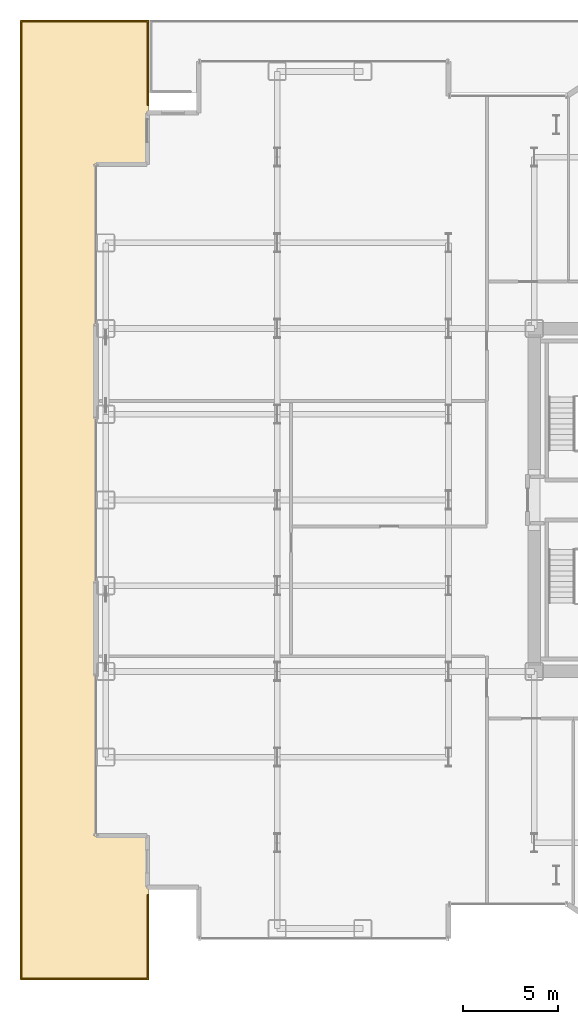
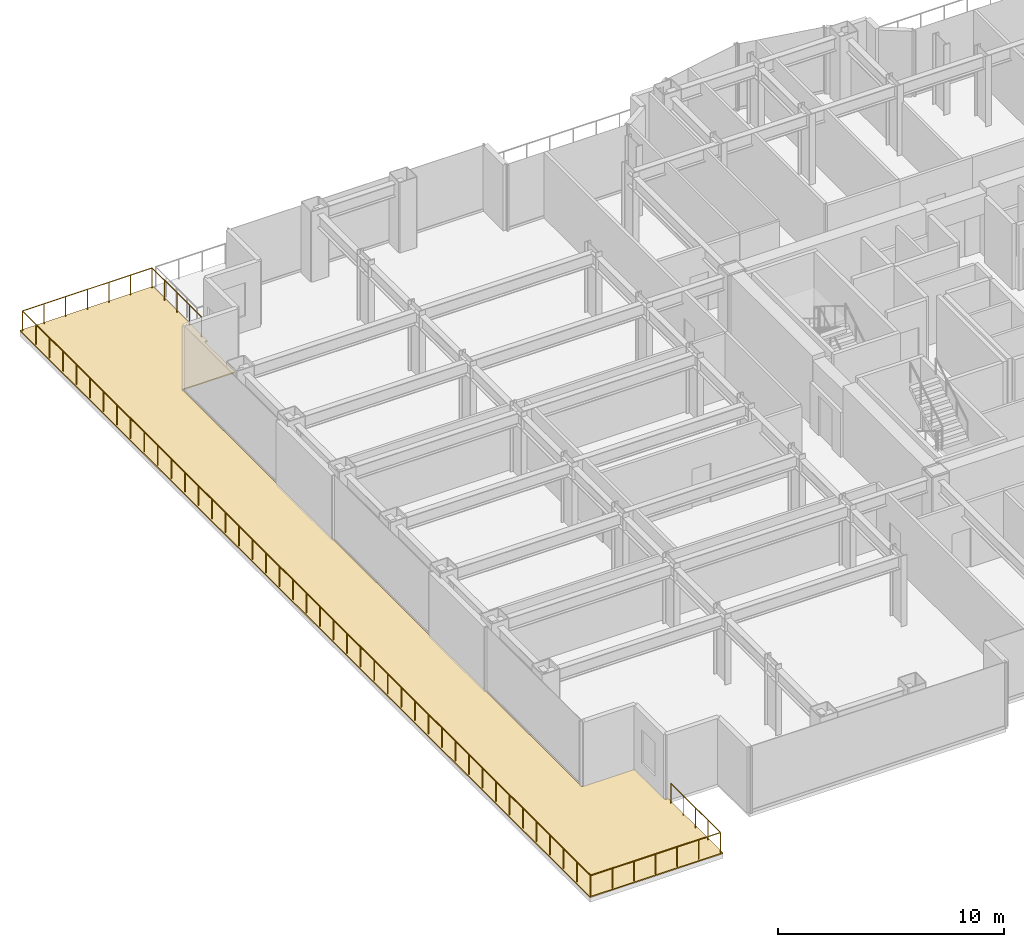
# One storey, part 28 of 30: 2 railings, 1 covering.
"""IFC4 building model written with IfcOpenShell, lengths in metres."""

from ifc_helpers import new_model, si_unit, direction, frame, origin, origin_2d, place, context, subcontext, project, spatial, polyline, circle, outline, extrude, material, layer, layer_set, type_object, element, save


model = new_model("IFC4")

# Units and contexts
model_context = context("Model", 3, precision=1e-05, world=origin(), true_north=direction((0.0, 1.0)))
body_context = subcontext(model_context, "Body", "Model", "MODEL_VIEW")
ifc_project = project(units=[si_unit("LENGTHUNIT", "METRE"), si_unit("AREAUNIT", "SQUARE_METRE"), si_unit("VOLUMEUNIT", "CUBIC_METRE"), si_unit("PLANEANGLEUNIT", "RADIAN"), si_unit("MASSUNIT", "GRAM", prefix="KILO")], contexts=[model_context])

# Site, building, storey
site_placement = place(None, origin())
site = spatial("IfcSite", under=ifc_project, at=site_placement, CompositionType="ELEMENT")
building_placement = place(site_placement, origin())
building = spatial("IfcBuilding", under=site, at=building_placement, Name="Nefas-Gora Pilgrimage Tower", CompositionType="ELEMENT")
storey_placement = place(building_placement, frame((0.0, 0.0, 33.0)))
storey = spatial("IfcBuildingStorey", under=building, at=storey_placement, Name="L06", CompositionType="ELEMENT", Elevation=33.0)

# Covering
ifc_material_1 = material(Name="Elastomeric waterproof insulated roof membrane")
ifc_layer = layer(ifc_material_1, 0.06005859375)
ifc_layer_set = layer_set([ifc_layer], Name="Elastomeric waterproof insulated roof membrane")
covering_type = type_object("IfcCoveringType", Name="COV-ROOF-MEMB", PredefinedType="ROOFING", material=ifc_layer_set)
covering_placement = place(storey_placement, origin())
element("IfcCovering", 1, at=covering_placement, inside=storey, type_object=covering_type, Name="L06 Setback Terrace Waterproofing Membrane 1", PredefinedType="ROOFING", context=body_context, shape_type="SweptSolid", body=[
    extrude(outline(polyline([(-38.25, -25.199951171875), (-31.469970703125, -25.199951171875), (-31.469970703125, -20.3701171875), (-31.570068359375, -20.3701171875), (-31.574951171875, -20.369873046875), (-31.579833984375, -20.368896484375), (-31.58447265625, -20.367919921875), (-31.589111328125, -20.3662109375), (-31.593505859375, -20.364013671875), (-31.597900390625, -20.361572265625), (-31.601806640625, -20.358642578125), (-31.60546875, -20.35546875), (-31.608642578125, -20.351806640625), (-31.611572265625, -20.347900390625), (-31.614013671875, -20.343505859375), (-31.6162109375, -20.339111328125), (-31.617919921875, -20.33447265625), (-31.618896484375, -20.329833984375), (-31.619873046875, -20.324951171875), (-31.6201171875, -20.320068359375), (-31.6201171875, -17.669921875), (-34.27001953125, -17.669921875), (-34.27490234375, -17.669921875), (-34.27978515625, -17.6689453125), (-34.284423828125, -17.667724609375), (-34.2890625, -17.666259765625), (-34.293701171875, -17.6640625), (-34.2978515625, -17.66162109375), (-34.3017578125, -17.65869140625), (-34.305419921875, -17.655517578125), (-34.30859375, -17.651611328125), (-34.3115234375, -17.647705078125), (-34.314208984375, -17.6435546875), (-34.316162109375, -17.63916015625), (-34.31787109375, -17.634521484375), (-34.319091796875, -17.6298828125), (-34.31982421875, -17.625), (-34.320068359375, -17.6201171875), (-34.320068359375, 17.6201171875), (-34.31982421875, 17.625), (-34.319091796875, 17.6298828125), (-34.31787109375, 17.634521484375), (-34.316162109375, 17.63916015625), (-34.314208984375, 17.6435546875), (-34.3115234375, 17.647705078125), (-34.30859375, 17.651611328125), (-34.305419921875, 17.655517578125), (-34.3017578125, 17.65869140625), (-34.2978515625, 17.66162109375), (-34.293701171875, 17.6640625), (-34.2890625, 17.666259765625), (-34.284423828125, 17.667724609375), (-34.27978515625, 17.6689453125), (-34.27490234375, 17.669921875), (-34.27001953125, 17.669921875), (-31.6201171875, 17.669921875), (-31.6201171875, 20.320068359375), (-31.619873046875, 20.324951171875), (-31.618896484375, 20.329833984375), (-31.617919921875, 20.33447265625), (-31.6162109375, 20.339111328125), (-31.614013671875, 20.343505859375), (-31.611572265625, 20.347900390625), (-31.608642578125, 20.351806640625), (-31.60546875, 20.35546875), (-31.601806640625, 20.358642578125), (-31.597900390625, 20.361572265625), (-31.593505859375, 20.364013671875), (-31.589111328125, 20.3662109375), (-31.58447265625, 20.367919921875), (-31.579833984375, 20.368896484375), (-31.574951171875, 20.369873046875), (-31.570068359375, 20.3701171875), (-31.469970703125, 20.3701171875), (-31.469970703125, 25.199951171875), (-38.25, 25.199951171875), (-38.25, -25.199951171875)])), origin(), (0.0, 0.0, 1.0), 0.06005859375),
])

# Railings
ifc_material_2 = material(Name="Laminated safety glass and stainless steel", Category="steel")
railing_type = type_object("IfcRailingType", Name="RLG-TER-1150", PredefinedType="BALUSTRADE", material=ifc_material_2)
railing_1_placement = place(storey_placement, frame((-38.169921875, -25.1201171875, 0.0)))
element("IfcRailing", 2, at=railing_1_placement, inside=storey, type_object=railing_type, Name="L06 Terrace Continuous Balustrade TER-L06-1.1", PredefinedType="BALUSTRADE", context=body_context, shape_type="SweptSolid", body=[
    extrude(circle(Radius=0.02392578125, at=origin_2d()), frame((0.0, 0.0, 1.1259765625), z_axis=(0.0, 1.0, 0.0), x_axis=(-1.0, 0.0, 0.0)), (0.0, 0.0, 1.0), 50.240234375),
    extrude(circle(Radius=0.02392578125, at=origin_2d()), frame((0.0, 50.240234375, 1.1259765625), z_axis=(1.0, 0.0, 0.0), x_axis=(0.0, 1.0, 0.0)), (0.0, 0.0, 1.0), 6.619873046875),
    extrude(circle(Radius=0.02392578125, at=origin_2d()), frame((6.619873046875, 50.240234375, 1.1259765625), z_axis=(0.0, -1.0, 0.0), x_axis=(1.0, 0.0, 0.0)), (0.0, 0.0, 1.0), 4.380126953125),
    extrude(circle(Radius=0.02099609375, at=origin_2d()), origin(), (0.0, 0.0, 1.0), 1.101806640625),
    extrude(circle(Radius=0.02099609375, at=origin_2d()), frame((0.0, 1.1962890625, 0.0)), (0.0, 0.0, 1.0), 1.101806640625),
    extrude(circle(Radius=0.02099609375, at=origin_2d()), frame((0.0, 2.392333984375, 0.0)), (0.0, 0.0, 1.0), 1.101806640625),
    extrude(circle(Radius=0.02099609375, at=origin_2d()), frame((0.0, 3.588623046875, 0.0)), (0.0, 0.0, 1.0), 1.101806640625),
    extrude(circle(Radius=0.02099609375, at=origin_2d()), frame((0.0, 4.78466796875, 0.0)), (0.0, 0.0, 1.0), 1.101806640625),
    extrude(circle(Radius=0.02099609375, at=origin_2d()), frame((0.0, 5.98095703125, 0.0)), (0.0, 0.0, 1.0), 1.101806640625),
    extrude(circle(Radius=0.02099609375, at=origin_2d()), frame((0.0, 7.17724609375, 0.0)), (0.0, 0.0, 1.0), 1.101806640625),
    extrude(circle(Radius=0.02099609375, at=origin_2d()), frame((0.0, 8.373291015625, 0.0)), (0.0, 0.0, 1.0), 1.101806640625),
    extrude(circle(Radius=0.02099609375, at=origin_2d()), frame((0.0, 9.569580078125, 0.0)), (0.0, 0.0, 1.0), 1.101806640625),
    extrude(circle(Radius=0.02099609375, at=origin_2d()), frame((0.0, 10.765869140625, 0.0)), (0.0, 0.0, 1.0), 1.101806640625),
    extrude(circle(Radius=0.02099609375, at=origin_2d()), frame((0.0, 11.9619140625, 0.0)), (0.0, 0.0, 1.0), 1.101806640625),
    extrude(circle(Radius=0.02099609375, at=origin_2d()), frame((0.0, 13.158203125, 0.0)), (0.0, 0.0, 1.0), 1.101806640625),
    extrude(circle(Radius=0.02099609375, at=origin_2d()), frame((0.0, 14.354248046875, 0.0)), (0.0, 0.0, 1.0), 1.101806640625),
    extrude(circle(Radius=0.02099609375, at=origin_2d()), frame((0.0, 15.550537109375, 0.0)), (0.0, 0.0, 1.0), 1.101806640625),
    extrude(circle(Radius=0.02099609375, at=origin_2d()), frame((0.0, 16.746826171875, 0.0)), (0.0, 0.0, 1.0), 1.101806640625),
    extrude(circle(Radius=0.02099609375, at=origin_2d()), frame((0.0, 17.94287109375, 0.0)), (0.0, 0.0, 1.0), 1.101806640625),
    extrude(circle(Radius=0.02099609375, at=origin_2d()), frame((0.0, 19.13916015625, 0.0)), (0.0, 0.0, 1.0), 1.101806640625),
    extrude(circle(Radius=0.02099609375, at=origin_2d()), frame((0.0, 20.33544921875, 0.0)), (0.0, 0.0, 1.0), 1.101806640625),
    extrude(circle(Radius=0.02099609375, at=origin_2d()), frame((0.0, 21.531494140625, 0.0)), (0.0, 0.0, 1.0), 1.101806640625),
    extrude(circle(Radius=0.02099609375, at=origin_2d()), frame((0.0, 22.727783203125, 0.0)), (0.0, 0.0, 1.0), 1.101806640625),
    extrude(circle(Radius=0.02099609375, at=origin_2d()), frame((0.0, 23.923828125, 0.0)), (0.0, 0.0, 1.0), 1.101806640625),
    extrude(circle(Radius=0.02099609375, at=origin_2d()), frame((0.0, 25.1201171875, 0.0)), (0.0, 0.0, 1.0), 1.101806640625),
    extrude(circle(Radius=0.02099609375, at=origin_2d()), frame((0.0, 26.31640625, 0.0)), (0.0, 0.0, 1.0), 1.101806640625),
    extrude(circle(Radius=0.02099609375, at=origin_2d()), frame((0.0, 27.512451171875, 0.0)), (0.0, 0.0, 1.0), 1.101806640625),
    extrude(circle(Radius=0.02099609375, at=origin_2d()), frame((0.0, 28.708740234375, 0.0)), (0.0, 0.0, 1.0), 1.101806640625),
    extrude(circle(Radius=0.02099609375, at=origin_2d()), frame((0.0, 29.90478515625, 0.0)), (0.0, 0.0, 1.0), 1.101806640625),
    extrude(circle(Radius=0.02099609375, at=origin_2d()), frame((0.0, 31.10107421875, 0.0)), (0.0, 0.0, 1.0), 1.101806640625),
    extrude(circle(Radius=0.02099609375, at=origin_2d()), frame((0.0, 32.29736328125, 0.0)), (0.0, 0.0, 1.0), 1.101806640625),
    extrude(circle(Radius=0.02099609375, at=origin_2d()), frame((0.0, 33.493408203125, 0.0)), (0.0, 0.0, 1.0), 1.101806640625),
    extrude(circle(Radius=0.02099609375, at=origin_2d()), frame((0.0, 34.689697265625, 0.0)), (0.0, 0.0, 1.0), 1.101806640625),
    extrude(circle(Radius=0.02099609375, at=origin_2d()), frame((0.0, 35.885986328125, 0.0)), (0.0, 0.0, 1.0), 1.101806640625),
    extrude(circle(Radius=0.02099609375, at=origin_2d()), frame((0.0, 37.08203125, 0.0)), (0.0, 0.0, 1.0), 1.101806640625),
    extrude(circle(Radius=0.02099609375, at=origin_2d()), frame((0.0, 38.2783203125, 0.0)), (0.0, 0.0, 1.0), 1.101806640625),
    extrude(circle(Radius=0.02099609375, at=origin_2d()), frame((0.0, 39.474365234375, 0.0)), (0.0, 0.0, 1.0), 1.101806640625),
    extrude(circle(Radius=0.02099609375, at=origin_2d()), frame((0.0, 40.670654296875, 0.0)), (0.0, 0.0, 1.0), 1.101806640625),
    extrude(circle(Radius=0.02099609375, at=origin_2d()), frame((0.0, 41.866943359375, 0.0)), (0.0, 0.0, 1.0), 1.101806640625),
    extrude(circle(Radius=0.02099609375, at=origin_2d()), frame((0.0, 43.06298828125, 0.0)), (0.0, 0.0, 1.0), 1.101806640625),
    extrude(circle(Radius=0.02099609375, at=origin_2d()), frame((0.0, 44.25927734375, 0.0)), (0.0, 0.0, 1.0), 1.101806640625),
    extrude(circle(Radius=0.02099609375, at=origin_2d()), frame((0.0, 45.45556640625, 0.0)), (0.0, 0.0, 1.0), 1.101806640625),
    extrude(circle(Radius=0.02099609375, at=origin_2d()), frame((0.0, 46.651611328125, 0.0)), (0.0, 0.0, 1.0), 1.101806640625),
    extrude(circle(Radius=0.02099609375, at=origin_2d()), frame((0.0, 47.847900390625, 0.0)), (0.0, 0.0, 1.0), 1.101806640625),
    extrude(circle(Radius=0.02099609375, at=origin_2d()), frame((0.0, 49.0439453125, 0.0)), (0.0, 0.0, 1.0), 1.101806640625),
    extrude(circle(Radius=0.02099609375, at=origin_2d()), frame((0.0, 50.240234375, 0.0)), (0.0, 0.0, 1.0), 1.101806640625),
    extrude(circle(Radius=0.02099609375, at=origin_2d()), frame((1.103271484375, 50.240234375, 0.0)), (0.0, 0.0, 1.0), 1.101806640625),
    extrude(circle(Radius=0.02099609375, at=origin_2d()), frame((2.20654296875, 50.240234375, 0.0)), (0.0, 0.0, 1.0), 1.101806640625),
    extrude(circle(Radius=0.02099609375, at=origin_2d()), frame((3.31005859375, 50.240234375, 0.0)), (0.0, 0.0, 1.0), 1.101806640625),
    extrude(circle(Radius=0.02099609375, at=origin_2d()), frame((4.413330078125, 50.240234375, 0.0)), (0.0, 0.0, 1.0), 1.101806640625),
    extrude(circle(Radius=0.02099609375, at=origin_2d()), frame((5.5166015625, 50.240234375, 0.0)), (0.0, 0.0, 1.0), 1.101806640625),
    extrude(circle(Radius=0.02099609375, at=origin_2d()), frame((6.619873046875, 50.240234375, 0.0)), (0.0, 0.0, 1.0), 1.101806640625),
    extrude(circle(Radius=0.02099609375, at=origin_2d()), frame((6.619873046875, 49.145263671875, 0.0)), (0.0, 0.0, 1.0), 1.101806640625),
    extrude(circle(Radius=0.02099609375, at=origin_2d()), frame((6.619873046875, 48.05029296875, 0.0)), (0.0, 0.0, 1.0), 1.101806640625),
    extrude(circle(Radius=0.02099609375, at=origin_2d()), frame((6.619873046875, 46.955078125, 0.0)), (0.0, 0.0, 1.0), 1.101806640625),
    extrude(circle(Radius=0.02099609375, at=origin_2d()), frame((6.619873046875, 45.860107421875, 0.0)), (0.0, 0.0, 1.0), 1.101806640625),
])
railing_2_placement = place(storey_placement, frame((-31.550048828125, -20.739990234375, 0.0)))
element("IfcRailing", 3, at=railing_2_placement, inside=storey, type_object=railing_type, Name="L06 Terrace Continuous Balustrade TER-L06-1.2", PredefinedType="BALUSTRADE", context=body_context, shape_type="SweptSolid", body=[
    extrude(circle(Radius=0.02392578125, at=origin_2d()), frame((0.0, 0.0, 1.1259765625), z_axis=(0.0, -1.0, 0.0), x_axis=(1.0, 0.0, 0.0)), (0.0, 0.0, 1.0), 4.380126953125),
    extrude(circle(Radius=0.02392578125, at=origin_2d()), frame((0.0, -4.380126953125, 1.1259765625), z_axis=(-1.0, 0.0, 0.0), x_axis=(0.0, -1.0, 0.0)), (0.0, 0.0, 1.0), 6.619873046875),
    extrude(circle(Radius=0.02099609375, at=origin_2d()), origin(), (0.0, 0.0, 1.0), 1.101806640625),
    extrude(circle(Radius=0.02099609375, at=origin_2d()), frame((0.0, -1.094970703125, 0.0)), (0.0, 0.0, 1.0), 1.101806640625),
    extrude(circle(Radius=0.02099609375, at=origin_2d()), frame((0.0, -2.18994140625, 0.0)), (0.0, 0.0, 1.0), 1.101806640625),
    extrude(circle(Radius=0.02099609375, at=origin_2d()), frame((0.0, -3.28515625, 0.0)), (0.0, 0.0, 1.0), 1.101806640625),
    extrude(circle(Radius=0.02099609375, at=origin_2d()), frame((0.0, -4.380126953125, 0.0)), (0.0, 0.0, 1.0), 1.101806640625),
    extrude(circle(Radius=0.02099609375, at=origin_2d()), frame((-1.103271484375, -4.380126953125, 0.0)), (0.0, 0.0, 1.0), 1.101806640625),
    extrude(circle(Radius=0.02099609375, at=origin_2d()), frame((-2.20654296875, -4.380126953125, 0.0)), (0.0, 0.0, 1.0), 1.101806640625),
    extrude(circle(Radius=0.02099609375, at=origin_2d()), frame((-3.31005859375, -4.380126953125, 0.0)), (0.0, 0.0, 1.0), 1.101806640625),
    extrude(circle(Radius=0.02099609375, at=origin_2d()), frame((-4.413330078125, -4.380126953125, 0.0)), (0.0, 0.0, 1.0), 1.101806640625),
    extrude(circle(Radius=0.02099609375, at=origin_2d()), frame((-5.5166015625, -4.380126953125, 0.0)), (0.0, 0.0, 1.0), 1.101806640625),
    extrude(circle(Radius=0.02099609375, at=origin_2d()), frame((-6.619873046875, -4.380126953125, 0.0)), (0.0, 0.0, 1.0), 1.101806640625),
])

save(model, "model.ifc")
